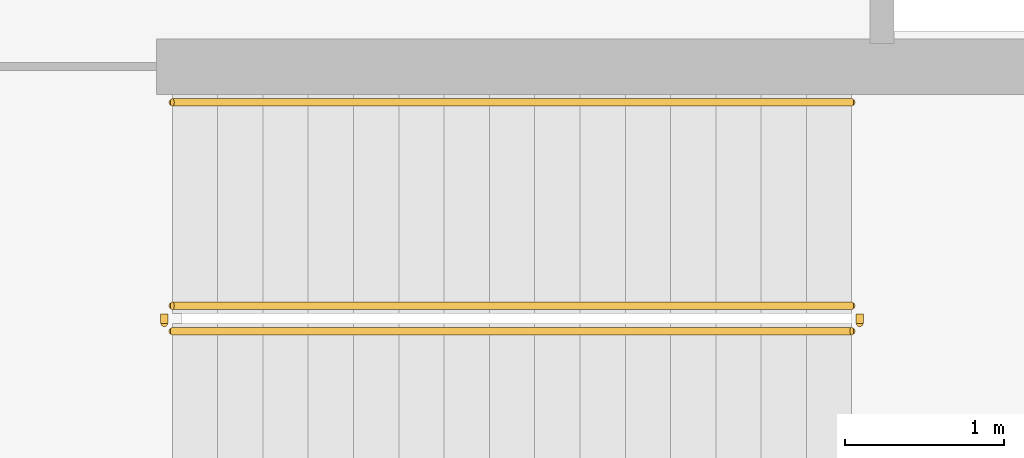
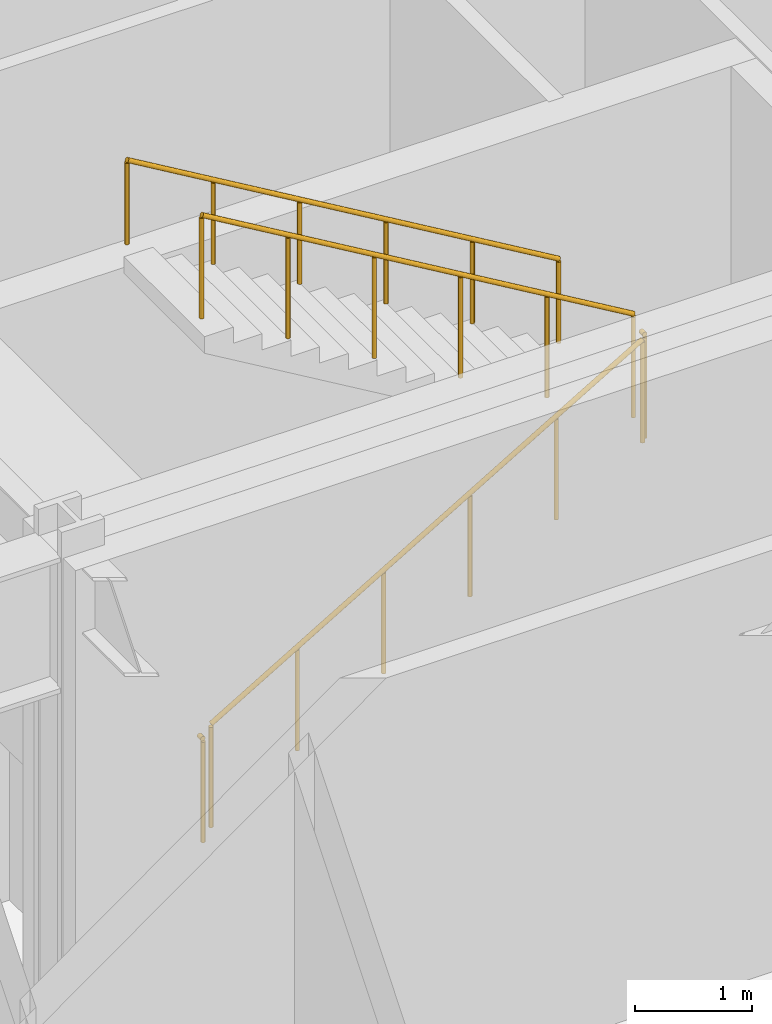
# One storey, part 24 of 27: 5 railings.
"""IFC4 building model written with IfcOpenShell, lengths in metres."""

from ifc_helpers import new_model, si_unit, direction, frame, origin, origin_2d, place, context, subcontext, project, spatial, circle, extrude, material, type_object, element, save


model = new_model("IFC4")

# Units and contexts
model_context = context("Model", 3, precision=1e-05, world=origin(), true_north=direction((0.0, 1.0)))
body_context = subcontext(model_context, "Body", "Model", "MODEL_VIEW")
ifc_project = project(units=[si_unit("LENGTHUNIT", "METRE"), si_unit("AREAUNIT", "SQUARE_METRE"), si_unit("VOLUMEUNIT", "CUBIC_METRE"), si_unit("PLANEANGLEUNIT", "RADIAN"), si_unit("MASSUNIT", "GRAM", prefix="KILO")], contexts=[model_context])

# Site, building, storey
site_placement = place(None, origin())
site = spatial("IfcSite", under=ifc_project, at=site_placement, CompositionType="ELEMENT")
building_placement = place(site_placement, origin())
building = spatial("IfcBuilding", under=site, at=building_placement, Name="Veymaron Broadcast Tower", CompositionType="ELEMENT")
storey_placement = place(building_placement, origin())
storey = spatial("IfcBuildingStorey", under=building, at=storey_placement, Name="L00", CompositionType="ELEMENT", Elevation=0.0)

# Railings
ifc_material_1 = material(Name="Brushed stainless steel AISI 304", Category="steel")
railing_type_1 = type_object("IfcRailingType", Name="RAIL-STAIR-HR", PredefinedType="HANDRAIL", material=ifc_material_1)
railing_1_placement = place(storey_placement, frame((45.705078125, 19.219970703125, 2.86865234375)))
element("IfcRailing", 1, at=railing_1_placement, inside=storey, type_object=railing_type_1, Name="L00 ST2 stair handrail 2", PredefinedType="HANDRAIL", context=body_context, shape_type="SweptSolid", body=[
    extrude(circle(Radius=0.02392578125, at=origin_2d()), frame((0.0, 0.0, 0.8759765625), z_axis=(-0.860483042394, 0.0, 0.50947908078), x_axis=(0.0, -1.0, 0.0)), (0.0, 0.0, 1.0), 4.96826171875),
    extrude(circle(Radius=0.02099609375, at=origin_2d()), origin(), (0.0, 0.0, 1.0), 0.851806640625),
    extrude(circle(Radius=0.02099609375, at=origin_2d()), frame((-0.85498046875, 0.0, 0.50634765625)), (0.0, 0.0, 1.0), 0.851806640625),
    extrude(circle(Radius=0.02099609375, at=origin_2d()), frame((-1.7099609375, 0.0, 1.012451171875)), (0.0, 0.0, 1.0), 0.851806640625),
    extrude(circle(Radius=0.02099609375, at=origin_2d()), frame((-2.565185546875, 0.0, 1.518798828125)), (0.0, 0.0, 1.0), 0.851806640625),
    extrude(circle(Radius=0.02099609375, at=origin_2d()), frame((-3.420166015625, 0.0, 2.02490234375)), (0.0, 0.0, 1.0), 0.851806640625),
    extrude(circle(Radius=0.02099609375, at=origin_2d()), frame((-4.275146484375, 0.0, 2.53125)), (0.0, 0.0, 1.0), 0.851806640625),
])
ifc_material_2 = material(Name="Painted galvanized steel balustrade", Category="steel")
railing_type_2 = type_object("IfcRailingType", Name="RAIL-WELL-GRD", PredefinedType="GUARDRAIL", material=ifc_material_2)
railing_2_placement = place(storey_placement, frame((41.429931640625, 17.780029296875, 0.168701171875)))
element("IfcRailing", 2, at=railing_2_placement, inside=storey, type_object=railing_type_2, Name="L00 ST2 stair guard 1", PredefinedType="GUARDRAIL", context=body_context, shape_type="SweptSolid", body=[
    extrude(circle(Radius=0.02392578125, at=origin_2d()), frame((0.0, 0.0, 1.076171875), z_axis=(0.860483042394, 0.0, 0.50947908078), x_axis=(0.0, 1.0, 0.0)), (0.0, 0.0, 1.0), 4.96826171875),
    extrude(circle(Radius=0.02099609375, at=origin_2d()), origin(), (0.0, 0.0, 1.0), 1.052001953125),
    extrude(circle(Radius=0.02099609375, at=origin_2d()), frame((0.85498046875, 0.0, 0.50634765625)), (0.0, 0.0, 1.0), 1.052001953125),
    extrude(circle(Radius=0.02099609375, at=origin_2d()), frame((1.7099609375, 0.0, 1.012451171875)), (0.0, 0.0, 1.0), 1.052001953125),
    extrude(circle(Radius=0.02099609375, at=origin_2d()), frame((2.565185546875, 0.0, 1.518798828125)), (0.0, 0.0, 1.0), 1.052001953125),
    extrude(circle(Radius=0.02099609375, at=origin_2d()), frame((3.420166015625, 0.0, 2.02490234375)), (0.0, 0.0, 1.0), 1.052001953125),
    extrude(circle(Radius=0.02099609375, at=origin_2d()), frame((4.275146484375, 0.0, 2.53125)), (0.0, 0.0, 1.0), 1.052001953125),
])
railing_3_placement = place(storey_placement, frame((45.7548828125, 17.830078125, 2.699951171875)))
element("IfcRailing", 3, at=railing_3_placement, inside=storey, type_object=railing_type_2, Name="L00 ST2 stair guard 2", PredefinedType="GUARDRAIL", context=body_context, shape_type="SweptSolid", body=[
    extrude(circle(Radius=0.02392578125, at=origin_2d()), frame((0.0, 0.0, 1.076171875), z_axis=(0.0, 1.0, 0.0), x_axis=(-1.0, 0.0, 0.0)), (0.0, 0.0, 1.0), 0.059814453125),
    extrude(circle(Radius=0.02099609375, at=origin_2d()), origin(), (0.0, 0.0, 1.0), 1.052001953125),
])
railing_4_placement = place(storey_placement, frame((45.705078125, 17.93994140625, 2.86865234375)))
element("IfcRailing", 4, at=railing_4_placement, inside=storey, type_object=railing_type_2, Name="L00 ST2 stair guard 3", PredefinedType="GUARDRAIL", context=body_context, shape_type="SweptSolid", body=[
    extrude(circle(Radius=0.02392578125, at=origin_2d()), frame((0.0, 0.0, 1.076171875), z_axis=(-0.860483042394, 0.0, 0.50947908078), x_axis=(0.0, -1.0, 0.0)), (0.0, 0.0, 1.0), 4.96826171875),
    extrude(circle(Radius=0.02099609375, at=origin_2d()), origin(), (0.0, 0.0, 1.0), 1.052001953125),
    extrude(circle(Radius=0.02099609375, at=origin_2d()), frame((-0.85498046875, 0.0, 0.50634765625)), (0.0, 0.0, 1.0), 1.052001953125),
    extrude(circle(Radius=0.02099609375, at=origin_2d()), frame((-1.7099609375, 0.0, 1.012451171875)), (0.0, 0.0, 1.0), 1.052001953125),
    extrude(circle(Radius=0.02099609375, at=origin_2d()), frame((-2.565185546875, 0.0, 1.518798828125)), (0.0, 0.0, 1.0), 1.052001953125),
    extrude(circle(Radius=0.02099609375, at=origin_2d()), frame((-3.420166015625, 0.0, 2.02490234375)), (0.0, 0.0, 1.0), 1.052001953125),
    extrude(circle(Radius=0.02099609375, at=origin_2d()), frame((-4.275146484375, 0.0, 2.53125)), (0.0, 0.0, 1.0), 1.052001953125),
])
railing_5_placement = place(storey_placement, frame((41.3798828125, 17.830078125, 0.0)))
element("IfcRailing", 5, at=railing_5_placement, inside=storey, type_object=railing_type_2, Name="L00 ST2 stair guard 4", PredefinedType="GUARDRAIL", context=body_context, shape_type="SweptSolid", body=[
    extrude(circle(Radius=0.02392578125, at=origin_2d()), frame((0.0, 0.0, 1.076171875), z_axis=(0.0, 1.0, 0.0), x_axis=(-1.0, 0.0, 0.0)), (0.0, 0.0, 1.0), 0.059814453125),
    extrude(circle(Radius=0.02099609375, at=origin_2d()), origin(), (0.0, 0.0, 1.0), 1.052001953125),
])

save(model, "model.ifc")
